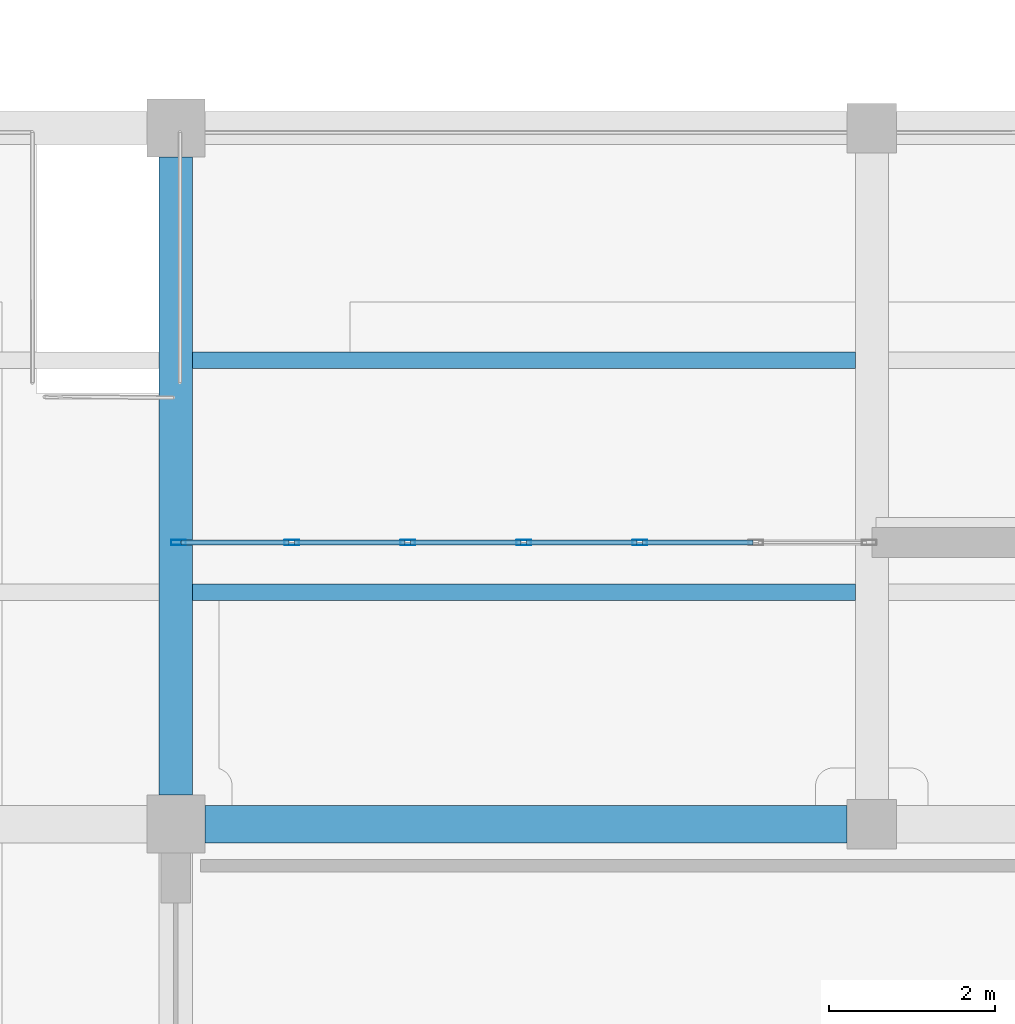
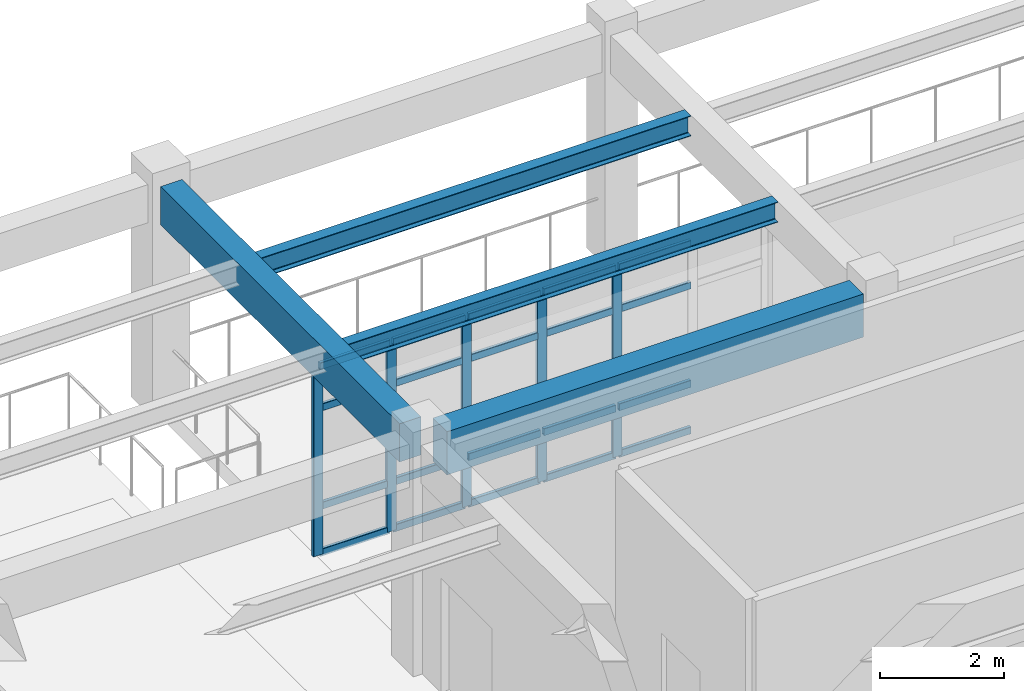
# One storey, part 9 of 139: 25 members, 4 beams, 1 element without a shape of its own.
"""IFC4 building model written with IfcOpenShell, lengths in metres."""

import ifcopenshell
import ifcopenshell.guid

model = None  # the IFC model being written
_history = None  # IfcOwnerHistory: only IFC2X3 demands one
_inside = {}  # id of a spatial element -> (the spatial element, [elements in it])
_under = {}  # id of a project, library or spatial element -> (it, [spatial elements below it])
_declared = {}  # id of a project -> (the project, [libraries it declares])
_typed = {}  # id of a type object -> (the type object, [elements of that type])
_made_of = {}  # id of a material, layer set ... -> (it, [elements and type objects made of it])


def new_model(schema):
    """Start an empty IFC model of exactly this schema.

    Asked for "IFC4X3", IfcOpenShell would pick the latest addendum, in which some entities
    have other attributes; the version numbers below select the first issue.
    IFC2X3 requires an IfcOwnerHistory on every rooted entity: one is made here for all.
    """
    global model, _history
    if schema == "IFC4X3":
        model = ifcopenshell.file(schema_version=(4, 3, 0, 0))
    else:
        model = ifcopenshell.file(schema=schema)
    _inside.clear()
    _under.clear()
    _declared.clear()
    _typed.clear()
    _made_of.clear()
    _history = None
    if model.schema == "IFC2X3":
        org = make("IfcOrganization", Name="unknown")
        user = make(
            "IfcPersonAndOrganization",
            ThePerson=make("IfcPerson", FamilyName="unknown"),
            TheOrganization=org,
        )
        app = make(
            "IfcApplication",
            ApplicationDeveloper=org,
            Version="unknown",
            ApplicationFullName="unknown",
            ApplicationIdentifier="unknown",
        )
        _history = make(
            "IfcOwnerHistory",
            OwningUser=user,
            OwningApplication=app,
            ChangeAction="ADDED",
            CreationDate=0,
        )
    return model


def make(cls, **values):
    """One entity of the class cls with the attributes given. An attribute that is None is left unset."""
    return model.create_entity(
        cls, **{name: value for name, value in values.items() if value is not None}
    )


def rooted(cls, **values):
    """An entity with a GlobalId (a new one), such as an element, a storey or a relation."""
    return make(cls, GlobalId=ifcopenshell.guid.new(), OwnerHistory=_history, **values)


def si_unit(unit_type, name, prefix=None):
    """IfcSIUnit, for example si_unit("LENGTHUNIT", "METRE", prefix="MILLI")."""
    return make("IfcSIUnit", UnitType=unit_type, Prefix=prefix, Name=name)


def assignment(units):
    """IfcUnitAssignment: the units of a project."""
    return None if units is None else make("IfcUnitAssignment", Units=units)


def point(xyz):
    """IfcCartesianPoint."""
    return None if xyz is None else make("IfcCartesianPoint", Coordinates=xyz)


def direction(xyz):
    """IfcDirection."""
    return None if xyz is None else make("IfcDirection", DirectionRatios=xyz)


def frame(location, z_axis=None, x_axis=None):
    """IfcAxis2Placement3D, a coordinate frame: its origin and axes. An axis left out is left unset."""
    return make(
        "IfcAxis2Placement3D",
        Location=point(location),
        Axis=direction(z_axis),
        RefDirection=direction(x_axis),
    )


def frame_2d(location, x_axis=None):
    """IfcAxis2Placement2D, a coordinate frame in the plane: its origin and x axis."""
    return make(
        "IfcAxis2Placement2D", Location=point(location), RefDirection=direction(x_axis)
    )


def origin():
    """The frame at (0, 0, 0) with its axes left unset."""
    return frame((0.0, 0.0, 0.0))


def origin_2d():
    """The frame at (0, 0) in the plane with its x axis left unset."""
    return frame_2d((0.0, 0.0))


def place(relative_to, where):
    """IfcLocalPlacement: puts the frame where relative to a parent placement (None: the world)."""
    return make(
        "IfcLocalPlacement", PlacementRelTo=relative_to, RelativePlacement=where
    )


def context(
    kind, dimensions, precision=None, world=None, true_north=None, identifier=None
):
    """IfcGeometricRepresentationContext, for example the 3D "Model" context."""
    return make(
        "IfcGeometricRepresentationContext",
        ContextIdentifier=identifier,
        ContextType=kind,
        CoordinateSpaceDimension=dimensions,
        Precision=precision,
        WorldCoordinateSystem=world,
        TrueNorth=true_north,
    )


def subcontext(parent, identifier, kind, view, scale=None):
    """IfcGeometricRepresentationSubContext, for example "Body" below "Model"."""
    return make(
        "IfcGeometricRepresentationSubContext",
        ContextIdentifier=identifier,
        ContextType=kind,
        ParentContext=parent,
        TargetScale=scale,
        TargetView=view,
    )


def project(units=None, contexts=None):
    """IfcProject with its units and contexts."""
    return rooted(
        "IfcProject",
        Name="project",
        RepresentationContexts=contexts,
        UnitsInContext=assignment(units),
    )


def spatial(cls, under=None, at=None, **own):
    """A site, building, storey or space (cls), placed at a placement, below another one or the project."""
    s = rooted(cls, ObjectPlacement=at, **own)
    if under is not None:
        _under.setdefault(under.id(), (under, []))[1].append(s)
    return s


def profile(cls, at=None, kind="AREA", **sizes):
    """A parametric profile (cls). Its sizes go by their IFC names, for example OverallWidth=200.0."""
    return make(cls, ProfileType=kind, Position=at, **sizes)


def rectangle(**sizes):
    """IfcRectangleProfileDef."""
    return profile("IfcRectangleProfileDef", **sizes)


def hollow_rectangle(**sizes):
    """IfcRectangleHollowProfileDef."""
    return profile("IfcRectangleHollowProfileDef", **sizes)


def i_section(**sizes):
    """IfcIShapeProfileDef."""
    return profile("IfcIShapeProfileDef", **sizes)


def extrude(swept, where, along, depth):
    """IfcExtrudedAreaSolid: the profile swept, set in the frame where, extruded along a direction by depth."""
    return make(
        "IfcExtrudedAreaSolid",
        SweptArea=swept,
        Position=where,
        ExtrudedDirection=direction(along),
        Depth=depth,
    )


def shape(context_of_items, identifier, shape_type, items):
    """IfcShapeRepresentation: the items that make up one representation, for example the "Body"."""
    return make(
        "IfcShapeRepresentation",
        ContextOfItems=context_of_items,
        RepresentationIdentifier=identifier,
        RepresentationType=shape_type,
        Items=items,
    )


def material(Name=None, Category=None):
    """IfcMaterial."""
    return make("IfcMaterial", Name=Name, Category=Category)


def material_profile(
    of_material, cross_section, Name=None, Category=None, Priority=None
):
    """IfcMaterialProfile: a cross section and its material."""
    return make(
        "IfcMaterialProfile",
        Name=Name,
        Material=of_material,
        Profile=cross_section,
        Priority=Priority,
        Category=Category,
    )


def profile_set(profiles, Name=None, composite=None):
    """IfcMaterialProfileSet."""
    return make(
        "IfcMaterialProfileSet",
        Name=Name,
        MaterialProfiles=profiles,
        CompositeProfile=composite,
    )


def made_of(thing, what):
    """Note that an element or type object is made of a material, layer set ...; save() writes the relation."""
    if what is not None:
        _made_of.setdefault(what.id(), (what, []))[1].append(thing)
    return thing


def type_object(cls, material=None, **own):
    """A type object (cls), such as IfcWallType, which elements share."""
    return made_of(rooted(cls, **own), material)


def element(
    cls,
    number,
    at=None,
    inside=None,
    cuts=None,
    type_object=None,
    material=None,
    context=None,
    identifier="Body",
    shape_type=None,
    held_by="IfcProductDefinitionShape",
    body=None,
    shapes=None,
    **own,
):
    """One element of the class cls, such as IfcWall. Its Tag is "e" and its number.

    at: its placement. inside: the storey or other place that contains it. cuts: it is an
    opening in that element (IfcRelVoidsElement). A single representation is given by context,
    identifier, shape_type and body (its items); several are given by shapes. held_by: the class
    of the entity that holds the representations. save() writes the other relations.
    """
    e = rooted(cls, Tag="e%d" % number, ObjectPlacement=at, **own)
    if body is not None:
        shapes = [shape(context, identifier, shape_type, body)]
    if shapes is not None:
        e.Representation = make(held_by, Representations=shapes)
    if inside is not None:
        _inside.setdefault(inside.id(), (inside, []))[1].append(e)
    if cuts is not None:
        rooted(
            "IfcRelVoidsElement", RelatingBuildingElement=cuts, RelatedOpeningElement=e
        )
    if type_object is not None:
        _typed.setdefault(type_object.id(), (type_object, []))[1].append(e)
    return made_of(e, material)


def aggregate(whole, parts):
    """IfcRelAggregates: a whole, such as a stair, and the parts it consists of."""
    return rooted("IfcRelAggregates", RelatingObject=whole, RelatedObjects=parts)


def save(model, path):
    """Write the relations noted so far, then the file.

    IfcRelAggregates (storeys below a building ...), IfcRelContainedInSpatialStructure (elements
    in a storey), IfcRelDefinesByType, IfcRelAssociatesMaterial and IfcRelDeclares: one each for
    every whole, place, type object, material and project.
    """
    for whole, parts in _under.values():
        aggregate(whole, parts)
    for where, things in _inside.values():
        rooted(
            "IfcRelContainedInSpatialStructure",
            RelatedElements=things,
            RelatingStructure=where,
        )
    for kind, things in _typed.values():
        rooted("IfcRelDefinesByType", RelatedObjects=things, RelatingType=kind)
    for what, things in _made_of.values():
        rooted("IfcRelAssociatesMaterial", RelatedObjects=things, RelatingMaterial=what)
    for by, libraries in _declared.values():
        rooted("IfcRelDeclares", RelatingContext=by, RelatedDefinitions=libraries)
    model.write(path)


model = new_model("IFC4")

# Units and contexts
model_context = context("Model", 3, precision=1e-05, world=origin(), true_north=direction((0.0, 1.0)))
body_context = subcontext(model_context, "Body", "Model", "MODEL_VIEW")
ifc_project = project(units=[si_unit("LENGTHUNIT", "METRE"), si_unit("AREAUNIT", "SQUARE_METRE"), si_unit("VOLUMEUNIT", "CUBIC_METRE"), si_unit("PLANEANGLEUNIT", "RADIAN"), si_unit("MASSUNIT", "GRAM", prefix="KILO")], contexts=[model_context])

# Site, building, storey
site_placement = place(None, origin())
site = spatial("IfcSite", under=ifc_project, at=site_placement, CompositionType="ELEMENT")
building_placement = place(site_placement, origin())
building = spatial("IfcBuilding", under=site, at=building_placement, Name="Canglan Escarpment Cableway Terminal", CompositionType="ELEMENT")
storey_placement = place(building_placement, frame((0.0, 0.0, 14.39990234375)))
storey = spatial("IfcBuildingStorey", under=building, at=storey_placement, Name="L03", CompositionType="ELEMENT", Elevation=14.39990234375)

# Beams
ifc_material_1 = material(Name="Concrete C40", Category="concrete")
ifc_material_profile_1 = material_profile(ifc_material_1, rectangle(XDim=0.39990234375, YDim=0.75, at=origin_2d()), Name="RC 400x750")
ifc_profile_set_1 = profile_set([ifc_material_profile_1], Name="Concrete C40")
beam_type_1 = type_object("IfcBeamType", Name="BM-RC400x750", PredefinedType="BEAM", material=ifc_profile_set_1)
beam_1_placement = place(storey_placement, frame((85.39990234375, 16.75, 4.125), z_axis=(0.0, 1.0, 0.0), x_axis=(-1.0, 0.0, 0.0)))
element("IfcBeam", 1, at=beam_1_placement, inside=storey, type_object=beam_type_1, Name="Primary transverse girder B-03", PredefinedType="BEAM", context=body_context, shape_type="SweptSolid", body=[
    extrude(rectangle(XDim=0.39990234375, YDim=0.75, at=origin_2d()), origin(), (0.0, 0.0, 1.0), 7.699951171875),
])
ifc_material_profile_2 = material_profile(ifc_material_1, rectangle(XDim=0.449951171875, YDim=0.85009765625, at=origin_2d()), Name="RC 450x850")
ifc_profile_set_2 = profile_set([ifc_material_profile_2], Name="Concrete C40")
beam_type_2 = type_object("IfcBeamType", Name="BM-RC450x850", PredefinedType="BEAM", material=ifc_profile_set_2)
beam_2_placement = place(storey_placement, frame((85.75, 16.39990234375, 4.0751953125), z_axis=(1.0, 0.0, 0.0), x_axis=(0.0, 1.0, 0.0)))
element("IfcBeam", 2, at=beam_2_placement, inside=storey, type_object=beam_type_2, Name="Primary structural girder B-02", PredefinedType="BEAM", context=body_context, shape_type="SweptSolid", body=[
    extrude(rectangle(XDim=0.449951171875, YDim=0.85009765625, at=origin_2d()), origin(), (0.0, 0.0, 1.0), 7.75),
])

# Curtain wall, members
ifc_material_2 = material(Name="Anodized bronze aluminium and Low-E double glazing", Category="aluminium")
curtain_wall_type = type_object("IfcCurtainWallType", Name="CW-BAY-8400x3725", PredefinedType="NOTDEFINED", material=ifc_material_2)
curtain_wall_placement = place(storey_placement, origin())
curtain_wall = element("IfcCurtainWall", 3, at=curtain_wall_placement, inside=storey, type_object=curtain_wall_type, Name="Classical bay-between-piers glazed curtain wall CW-14", PredefinedType="NOTDEFINED")
ifc_material_3 = material(Name="Thermally broken anodized aluminium 6063-T6", Category="aluminium")
ifc_material_profile_3 = material_profile(ifc_material_3, hollow_rectangle(XDim=0.06494140625, YDim=0.179931640625, WallThickness=0.00390625, InnerFilletRadius=0.00390625, OuterFilletRadius=0.008056640625, at=origin_2d()), Name="ALU-MULL 65x180x4")
ifc_profile_set_3 = profile_set([ifc_material_profile_3], Name="Thermally broken anodized aluminium 6063-T6")
member_type_1 = type_object("IfcMemberType", Name="CWM-03", PredefinedType="MULLION", material=ifc_profile_set_3)
member_1_placement = place(storey_placement, frame((91.0, 19.800048828125, 0.0), z_axis=(0.0, 0.0, 1.0), x_axis=(0.0, -1.0, 0.0)))
member_1 = element("IfcMember", 4, at=member_1_placement, type_object=member_type_1, Name="CW-14 mullion 3", PredefinedType="MULLION", context=body_context, shape_type="SweptSolid", body=[
    extrude(hollow_rectangle(XDim=0.06494140625, YDim=0.179931640625, WallThickness=0.00390625, InnerFilletRadius=0.00390625, OuterFilletRadius=0.008056640625, at=origin_2d()), origin(), (0.0, 0.0, 1.0), 3.735107421875),
])
member_2_placement = place(storey_placement, frame((89.60009765625, 19.800048828125, 0.0), z_axis=(0.0, 0.0, 1.0), x_axis=(0.0, -1.0, 0.0)))
member_2 = element("IfcMember", 5, at=member_2_placement, type_object=member_type_1, Name="CW-14 mullion 4", PredefinedType="MULLION", context=body_context, shape_type="SweptSolid", body=[
    extrude(hollow_rectangle(XDim=0.06494140625, YDim=0.179931640625, WallThickness=0.00390625, InnerFilletRadius=0.00390625, OuterFilletRadius=0.008056640625, at=origin_2d()), origin(), (0.0, 0.0, 1.0), 3.735107421875),
])
member_3_placement = place(storey_placement, frame((88.199951171875, 19.800048828125, 0.0), z_axis=(0.0, 0.0, 1.0), x_axis=(0.0, -1.0, 0.0)))
member_3 = element("IfcMember", 6, at=member_3_placement, type_object=member_type_1, Name="CW-14 mullion 5", PredefinedType="MULLION", context=body_context, shape_type="SweptSolid", body=[
    extrude(hollow_rectangle(XDim=0.06494140625, YDim=0.179931640625, WallThickness=0.00390625, InnerFilletRadius=0.00390625, OuterFilletRadius=0.008056640625, at=origin_2d()), origin(), (0.0, 0.0, 1.0), 3.735107421875),
])
member_4_placement = place(storey_placement, frame((86.800048828125, 19.800048828125, 0.0), z_axis=(0.0, 0.0, 1.0), x_axis=(0.0, -1.0, 0.0)))
member_4 = element("IfcMember", 7, at=member_4_placement, type_object=member_type_1, Name="CW-14 mullion 6", PredefinedType="MULLION", context=body_context, shape_type="SweptSolid", body=[
    extrude(hollow_rectangle(XDim=0.06494140625, YDim=0.179931640625, WallThickness=0.00390625, InnerFilletRadius=0.00390625, OuterFilletRadius=0.008056640625, at=origin_2d()), origin(), (0.0, 0.0, 1.0), 3.735107421875),
])
member_5_placement = place(storey_placement, frame((85.4326171875, 19.800048828125, 0.0), z_axis=(0.0, 0.0, 1.0), x_axis=(0.0, -1.0, 0.0)))
member_5 = element("IfcMember", 8, at=member_5_placement, type_object=member_type_1, Name="CW-14 mullion 7", PredefinedType="MULLION", context=body_context, shape_type="SweptSolid", body=[
    extrude(hollow_rectangle(XDim=0.06494140625, YDim=0.179931640625, WallThickness=0.00390625, InnerFilletRadius=0.00390625, OuterFilletRadius=0.008056640625, at=origin_2d()), origin(), (0.0, 0.0, 1.0), 3.735107421875),
])
ifc_material_profile_4 = material_profile(ifc_material_3, hollow_rectangle(XDim=0.06494140625, YDim=0.139892578125, WallThickness=0.00341796875, InnerFilletRadius=0.00341796875, OuterFilletRadius=0.007080078125, at=origin_2d()), Name="ALU-TRAN 65x140x3.5")
ifc_profile_set_4 = profile_set([ifc_material_profile_4], Name="Thermally broken anodized aluminium 6063-T6")
member_type_2 = type_object("IfcMemberType", Name="CWT-03", PredefinedType="USERDEFINED", material=ifc_profile_set_4)
member_6_placement = place(storey_placement, frame((92.367431640625, 19.800048828125, 0.03271484375), z_axis=(-1.0, 0.0, 0.0), x_axis=(0.0, -1.0, 0.0)))
member_6 = element("IfcMember", 9, at=member_6_placement, type_object=member_type_2, Name="CW-14 transom 2.1", ObjectType="TRANSOM", PredefinedType="USERDEFINED", context=body_context, shape_type="SweptSolid", body=[
    extrude(hollow_rectangle(XDim=0.06494140625, YDim=0.139892578125, WallThickness=0.00341796875, InnerFilletRadius=0.00341796875, OuterFilletRadius=0.007080078125, at=origin_2d()), origin(), (0.0, 0.0, 1.0), 1.3349609375),
])
member_7_placement = place(storey_placement, frame((92.367431640625, 19.800048828125, 0.9501953125), z_axis=(-1.0, 0.0, 0.0), x_axis=(0.0, -1.0, 0.0)))
member_7 = element("IfcMember", 10, at=member_7_placement, type_object=member_type_2, Name="CW-14 transom 2.2", ObjectType="TRANSOM", PredefinedType="USERDEFINED", context=body_context, shape_type="SweptSolid", body=[
    extrude(hollow_rectangle(XDim=0.06494140625, YDim=0.139892578125, WallThickness=0.00341796875, InnerFilletRadius=0.00341796875, OuterFilletRadius=0.007080078125, at=origin_2d()), origin(), (0.0, 0.0, 1.0), 1.3349609375),
])
member_8_placement = place(storey_placement, frame((92.367431640625, 19.800048828125, 2.885009765625), z_axis=(-1.0, 0.0, 0.0), x_axis=(0.0, -1.0, 0.0)))
member_8 = element("IfcMember", 11, at=member_8_placement, type_object=member_type_2, Name="CW-14 transom 2.3", ObjectType="TRANSOM", PredefinedType="USERDEFINED", context=body_context, shape_type="SweptSolid", body=[
    extrude(hollow_rectangle(XDim=0.06494140625, YDim=0.139892578125, WallThickness=0.00341796875, InnerFilletRadius=0.00341796875, OuterFilletRadius=0.007080078125, at=origin_2d()), origin(), (0.0, 0.0, 1.0), 1.3349609375),
])
member_9_placement = place(storey_placement, frame((92.367431640625, 19.800048828125, 3.70263671875), z_axis=(-1.0, 0.0, 0.0), x_axis=(0.0, -1.0, 0.0)))
member_9 = element("IfcMember", 12, at=member_9_placement, type_object=member_type_2, Name="CW-14 transom 2.4", ObjectType="TRANSOM", PredefinedType="USERDEFINED", context=body_context, shape_type="SweptSolid", body=[
    extrude(hollow_rectangle(XDim=0.06494140625, YDim=0.139892578125, WallThickness=0.00341796875, InnerFilletRadius=0.00341796875, OuterFilletRadius=0.007080078125, at=origin_2d()), origin(), (0.0, 0.0, 1.0), 1.3349609375),
])
member_10_placement = place(storey_placement, frame((90.967529296875, 19.800048828125, 0.03271484375), z_axis=(-1.0, 0.0, 0.0), x_axis=(0.0, -1.0, 0.0)))
member_10 = element("IfcMember", 13, at=member_10_placement, type_object=member_type_2, Name="CW-14 transom 3.1", ObjectType="TRANSOM", PredefinedType="USERDEFINED", context=body_context, shape_type="SweptSolid", body=[
    extrude(hollow_rectangle(XDim=0.06494140625, YDim=0.139892578125, WallThickness=0.00341796875, InnerFilletRadius=0.00341796875, OuterFilletRadius=0.007080078125, at=origin_2d()), origin(), (0.0, 0.0, 1.0), 1.3349609375),
])
member_11_placement = place(storey_placement, frame((90.967529296875, 19.800048828125, 0.9501953125), z_axis=(-1.0, 0.0, 0.0), x_axis=(0.0, -1.0, 0.0)))
member_11 = element("IfcMember", 14, at=member_11_placement, type_object=member_type_2, Name="CW-14 transom 3.2", ObjectType="TRANSOM", PredefinedType="USERDEFINED", context=body_context, shape_type="SweptSolid", body=[
    extrude(hollow_rectangle(XDim=0.06494140625, YDim=0.139892578125, WallThickness=0.00341796875, InnerFilletRadius=0.00341796875, OuterFilletRadius=0.007080078125, at=origin_2d()), origin(), (0.0, 0.0, 1.0), 1.3349609375),
])
member_12_placement = place(storey_placement, frame((90.967529296875, 19.800048828125, 2.885009765625), z_axis=(-1.0, 0.0, 0.0), x_axis=(0.0, -1.0, 0.0)))
member_12 = element("IfcMember", 15, at=member_12_placement, type_object=member_type_2, Name="CW-14 transom 3.3", ObjectType="TRANSOM", PredefinedType="USERDEFINED", context=body_context, shape_type="SweptSolid", body=[
    extrude(hollow_rectangle(XDim=0.06494140625, YDim=0.139892578125, WallThickness=0.00341796875, InnerFilletRadius=0.00341796875, OuterFilletRadius=0.007080078125, at=origin_2d()), origin(), (0.0, 0.0, 1.0), 1.3349609375),
])
member_13_placement = place(storey_placement, frame((90.967529296875, 19.800048828125, 3.70263671875), z_axis=(-1.0, 0.0, 0.0), x_axis=(0.0, -1.0, 0.0)))
member_13 = element("IfcMember", 16, at=member_13_placement, type_object=member_type_2, Name="CW-14 transom 3.4", ObjectType="TRANSOM", PredefinedType="USERDEFINED", context=body_context, shape_type="SweptSolid", body=[
    extrude(hollow_rectangle(XDim=0.06494140625, YDim=0.139892578125, WallThickness=0.00341796875, InnerFilletRadius=0.00341796875, OuterFilletRadius=0.007080078125, at=origin_2d()), origin(), (0.0, 0.0, 1.0), 1.3349609375),
])
member_14_placement = place(storey_placement, frame((89.5673828125, 19.800048828125, 0.03271484375), z_axis=(-1.0, 0.0, 0.0), x_axis=(0.0, -1.0, 0.0)))
member_14 = element("IfcMember", 17, at=member_14_placement, type_object=member_type_2, Name="CW-14 transom 4.1", ObjectType="TRANSOM", PredefinedType="USERDEFINED", context=body_context, shape_type="SweptSolid", body=[
    extrude(hollow_rectangle(XDim=0.06494140625, YDim=0.139892578125, WallThickness=0.00341796875, InnerFilletRadius=0.00341796875, OuterFilletRadius=0.007080078125, at=origin_2d()), origin(), (0.0, 0.0, 1.0), 1.3349609375),
])
member_15_placement = place(storey_placement, frame((89.5673828125, 19.800048828125, 0.9501953125), z_axis=(-1.0, 0.0, 0.0), x_axis=(0.0, -1.0, 0.0)))
member_15 = element("IfcMember", 18, at=member_15_placement, type_object=member_type_2, Name="CW-14 transom 4.2", ObjectType="TRANSOM", PredefinedType="USERDEFINED", context=body_context, shape_type="SweptSolid", body=[
    extrude(hollow_rectangle(XDim=0.06494140625, YDim=0.139892578125, WallThickness=0.00341796875, InnerFilletRadius=0.00341796875, OuterFilletRadius=0.007080078125, at=origin_2d()), origin(), (0.0, 0.0, 1.0), 1.3349609375),
])
member_16_placement = place(storey_placement, frame((89.5673828125, 19.800048828125, 2.885009765625), z_axis=(-1.0, 0.0, 0.0), x_axis=(0.0, -1.0, 0.0)))
member_16 = element("IfcMember", 19, at=member_16_placement, type_object=member_type_2, Name="CW-14 transom 4.3", ObjectType="TRANSOM", PredefinedType="USERDEFINED", context=body_context, shape_type="SweptSolid", body=[
    extrude(hollow_rectangle(XDim=0.06494140625, YDim=0.139892578125, WallThickness=0.00341796875, InnerFilletRadius=0.00341796875, OuterFilletRadius=0.007080078125, at=origin_2d()), origin(), (0.0, 0.0, 1.0), 1.3349609375),
])
member_17_placement = place(storey_placement, frame((89.5673828125, 19.800048828125, 3.70263671875), z_axis=(-1.0, 0.0, 0.0), x_axis=(0.0, -1.0, 0.0)))
member_17 = element("IfcMember", 20, at=member_17_placement, type_object=member_type_2, Name="CW-14 transom 4.4", ObjectType="TRANSOM", PredefinedType="USERDEFINED", context=body_context, shape_type="SweptSolid", body=[
    extrude(hollow_rectangle(XDim=0.06494140625, YDim=0.139892578125, WallThickness=0.00341796875, InnerFilletRadius=0.00341796875, OuterFilletRadius=0.007080078125, at=origin_2d()), origin(), (0.0, 0.0, 1.0), 1.3349609375),
])
member_18_placement = place(storey_placement, frame((88.16748046875, 19.800048828125, 0.03271484375), z_axis=(-1.0, 0.0, 0.0), x_axis=(0.0, -1.0, 0.0)))
member_18 = element("IfcMember", 21, at=member_18_placement, type_object=member_type_2, Name="CW-14 transom 5.1", ObjectType="TRANSOM", PredefinedType="USERDEFINED", context=body_context, shape_type="SweptSolid", body=[
    extrude(hollow_rectangle(XDim=0.06494140625, YDim=0.139892578125, WallThickness=0.00341796875, InnerFilletRadius=0.00341796875, OuterFilletRadius=0.007080078125, at=origin_2d()), origin(), (0.0, 0.0, 1.0), 1.3349609375),
])
member_19_placement = place(storey_placement, frame((88.16748046875, 19.800048828125, 0.9501953125), z_axis=(-1.0, 0.0, 0.0), x_axis=(0.0, -1.0, 0.0)))
member_19 = element("IfcMember", 22, at=member_19_placement, type_object=member_type_2, Name="CW-14 transom 5.2", ObjectType="TRANSOM", PredefinedType="USERDEFINED", context=body_context, shape_type="SweptSolid", body=[
    extrude(hollow_rectangle(XDim=0.06494140625, YDim=0.139892578125, WallThickness=0.00341796875, InnerFilletRadius=0.00341796875, OuterFilletRadius=0.007080078125, at=origin_2d()), origin(), (0.0, 0.0, 1.0), 1.3349609375),
])
member_20_placement = place(storey_placement, frame((88.16748046875, 19.800048828125, 2.885009765625), z_axis=(-1.0, 0.0, 0.0), x_axis=(0.0, -1.0, 0.0)))
member_20 = element("IfcMember", 23, at=member_20_placement, type_object=member_type_2, Name="CW-14 transom 5.3", ObjectType="TRANSOM", PredefinedType="USERDEFINED", context=body_context, shape_type="SweptSolid", body=[
    extrude(hollow_rectangle(XDim=0.06494140625, YDim=0.139892578125, WallThickness=0.00341796875, InnerFilletRadius=0.00341796875, OuterFilletRadius=0.007080078125, at=origin_2d()), origin(), (0.0, 0.0, 1.0), 1.3349609375),
])
member_21_placement = place(storey_placement, frame((88.16748046875, 19.800048828125, 3.70263671875), z_axis=(-1.0, 0.0, 0.0), x_axis=(0.0, -1.0, 0.0)))
member_21 = element("IfcMember", 24, at=member_21_placement, type_object=member_type_2, Name="CW-14 transom 5.4", ObjectType="TRANSOM", PredefinedType="USERDEFINED", context=body_context, shape_type="SweptSolid", body=[
    extrude(hollow_rectangle(XDim=0.06494140625, YDim=0.139892578125, WallThickness=0.00341796875, InnerFilletRadius=0.00341796875, OuterFilletRadius=0.007080078125, at=origin_2d()), origin(), (0.0, 0.0, 1.0), 1.3349609375),
])
member_22_placement = place(storey_placement, frame((86.767578125, 19.800048828125, 0.03271484375), z_axis=(-1.0, 0.0, 0.0), x_axis=(0.0, -1.0, 0.0)))
member_22 = element("IfcMember", 25, at=member_22_placement, type_object=member_type_2, Name="CW-14 transom 6.1", ObjectType="TRANSOM", PredefinedType="USERDEFINED", context=body_context, shape_type="SweptSolid", body=[
    extrude(hollow_rectangle(XDim=0.06494140625, YDim=0.139892578125, WallThickness=0.00341796875, InnerFilletRadius=0.00341796875, OuterFilletRadius=0.007080078125, at=origin_2d()), origin(), (0.0, 0.0, 1.0), 1.302490234375),
])
member_23_placement = place(storey_placement, frame((86.767578125, 19.800048828125, 0.9501953125), z_axis=(-1.0, 0.0, 0.0), x_axis=(0.0, -1.0, 0.0)))
member_23 = element("IfcMember", 26, at=member_23_placement, type_object=member_type_2, Name="CW-14 transom 6.2", ObjectType="TRANSOM", PredefinedType="USERDEFINED", context=body_context, shape_type="SweptSolid", body=[
    extrude(hollow_rectangle(XDim=0.06494140625, YDim=0.139892578125, WallThickness=0.00341796875, InnerFilletRadius=0.00341796875, OuterFilletRadius=0.007080078125, at=origin_2d()), origin(), (0.0, 0.0, 1.0), 1.302490234375),
])
member_24_placement = place(storey_placement, frame((86.767578125, 19.800048828125, 2.885009765625), z_axis=(-1.0, 0.0, 0.0), x_axis=(0.0, -1.0, 0.0)))
member_24 = element("IfcMember", 27, at=member_24_placement, type_object=member_type_2, Name="CW-14 transom 6.3", ObjectType="TRANSOM", PredefinedType="USERDEFINED", context=body_context, shape_type="SweptSolid", body=[
    extrude(hollow_rectangle(XDim=0.06494140625, YDim=0.139892578125, WallThickness=0.00341796875, InnerFilletRadius=0.00341796875, OuterFilletRadius=0.007080078125, at=origin_2d()), origin(), (0.0, 0.0, 1.0), 1.302490234375),
])
member_25_placement = place(storey_placement, frame((86.767578125, 19.800048828125, 3.70263671875), z_axis=(-1.0, 0.0, 0.0), x_axis=(0.0, -1.0, 0.0)))
member_25 = element("IfcMember", 28, at=member_25_placement, type_object=member_type_2, Name="CW-14 transom 6.4", ObjectType="TRANSOM", PredefinedType="USERDEFINED", context=body_context, shape_type="SweptSolid", body=[
    extrude(hollow_rectangle(XDim=0.06494140625, YDim=0.139892578125, WallThickness=0.00341796875, InnerFilletRadius=0.00341796875, OuterFilletRadius=0.007080078125, at=origin_2d()), origin(), (0.0, 0.0, 1.0), 1.302490234375),
])
aggregate(curtain_wall, [member_1, member_2, member_3, member_4, member_5, member_6, member_7, member_8, member_9, member_10, member_11, member_12, member_13, member_14, member_15, member_16, member_17, member_18, member_19, member_20, member_21, member_22, member_23, member_24, member_25])

# Beams
ifc_material_4 = material(Name="Steel Q355B", Category="steel")
ifc_material_profile_5 = material_profile(ifc_material_4, i_section(OverallWidth=0.199951171875, OverallDepth=0.39990234375, WebThickness=0.008056640625, FlangeThickness=0.012939453125, FilletRadius=0.01611328125, at=origin_2d()), Name="HN 400x200x8x13")
ifc_profile_set_5 = profile_set([ifc_material_profile_5], Name="Steel Q355B")
beam_type_3 = type_object("IfcBeamType", Name="JS-HN400", PredefinedType="JOIST", material=ifc_profile_set_5)
for number, where, z_axis, x_axis, name in (
    (29, (85.60009765625, 19.199951171875, 4.300048828125), (1.0, 0.0, 0.0), (0.0, 1.0, 0.0), "Secondary composite deck joist J-03"),
    (30, (85.60009765625, 22.0, 4.300048828125), (1.0, 0.0, 0.0), (0.0, 1.0, 0.0), "Secondary composite deck joist J-03"),
):
    element("IfcBeam", number, at=place(storey_placement, frame(where, z_axis=z_axis, x_axis=x_axis)), inside=storey, type_object=beam_type_3, Name=name, PredefinedType="JOIST", context=body_context, shape_type="SweptSolid", body=[
        extrude(i_section(OverallWidth=0.199951171875, OverallDepth=0.39990234375, WebThickness=0.008056640625, FlangeThickness=0.012939453125, FilletRadius=0.01611328125, at=origin_2d()), origin(), (0.0, 0.0, 1.0), 8.0),
    ])

save(model, "model.ifc")
